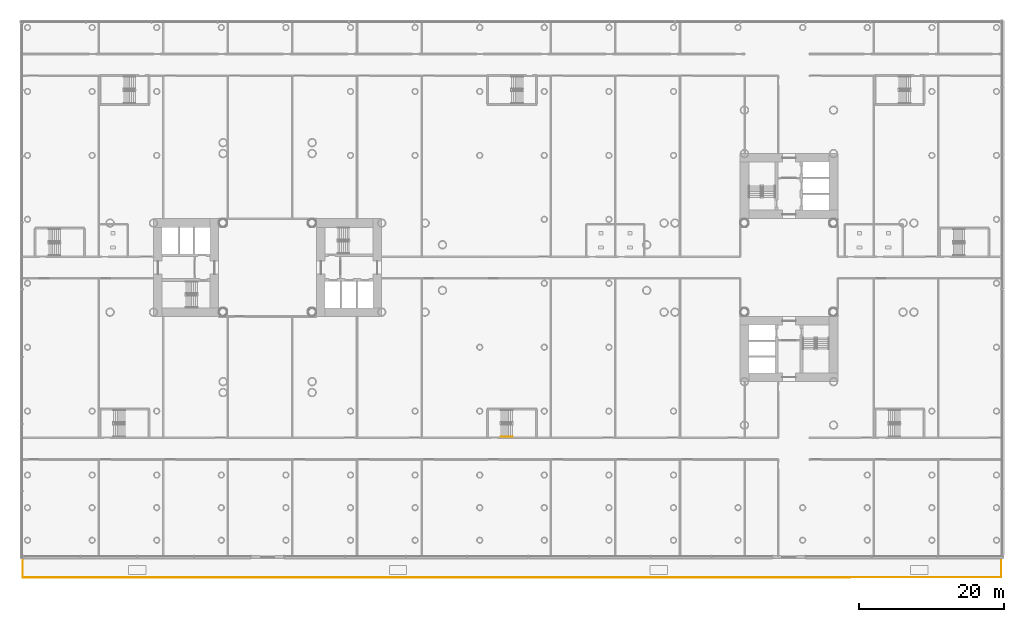
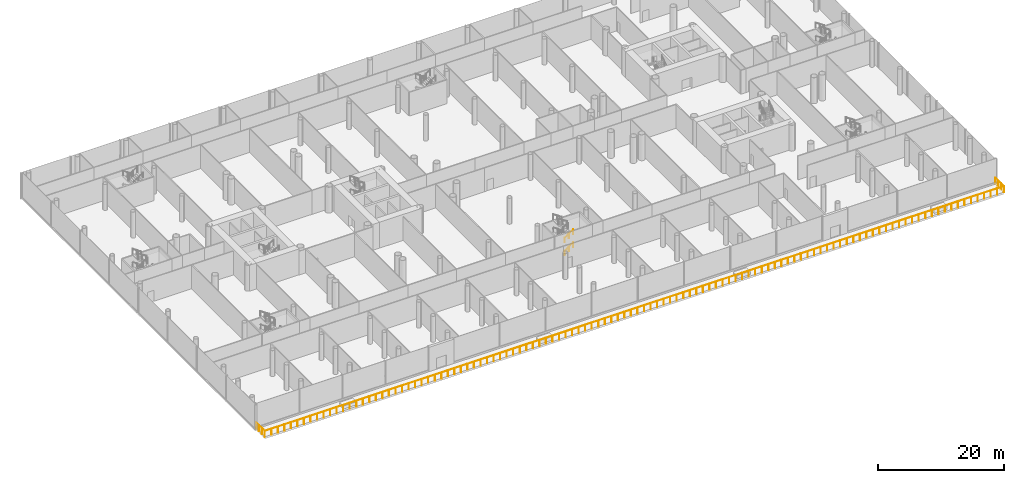
# One storey, part 52 of 59: 3 railings.
"""IFC4 building model written with IfcOpenShell, lengths in metres."""

from ifc_helpers import new_model, si_unit, direction, frame, origin, origin_2d, place, context, subcontext, project, spatial, circle, extrude, material, type_object, element, save


model = new_model("IFC4")

# Units and contexts
model_context = context("Model", 3, precision=1e-05, world=origin(), true_north=direction((0.0, 1.0)))
body_context = subcontext(model_context, "Body", "Model", "MODEL_VIEW")
ifc_project = project(units=[si_unit("LENGTHUNIT", "METRE"), si_unit("AREAUNIT", "SQUARE_METRE"), si_unit("VOLUMEUNIT", "CUBIC_METRE"), si_unit("PLANEANGLEUNIT", "RADIAN"), si_unit("MASSUNIT", "GRAM", prefix="KILO")], contexts=[model_context])

# Site, building, storey
site_placement = place(None, origin())
site = spatial("IfcSite", under=ifc_project, at=site_placement, CompositionType="ELEMENT")
building_placement = place(site_placement, origin())
building = spatial("IfcBuilding", under=site, at=building_placement, Name="Ipe Terrace Towers", CompositionType="ELEMENT")
storey_placement = place(building_placement, frame((0.0, 0.0, 6.0)))
storey = spatial("IfcBuildingStorey", under=building, at=storey_placement, Name="L01", CompositionType="ELEMENT", Elevation=6.0)

# Railings
ifc_material_1 = material(Name="Stainless steel S316", Category="steel")
railing_type_1 = type_object("IfcRailingType", Name="ROOF GUARD 1200", PredefinedType="BALUSTRADE", material=ifc_material_1)
railing_placement = place(storey_placement, frame((65.300048828125, -40.070068359375, -0.02001953125)))
element("IfcRailing", 1, at=railing_placement, inside=storey, type_object=railing_type_1, Name="roof guard", PredefinedType="BALUSTRADE", context=body_context, shape_type="SweptSolid", body=[
    extrude(circle(Radius=0.02392578125, at=origin_2d()), frame((0.0, 0.0, 1.17578125), z_axis=(0.0, -1.0, 0.0), x_axis=(1.0, 0.0, 0.0)), (0.0, 0.0, 1.0), 2.72998046875),
    extrude(circle(Radius=0.02392578125, at=origin_2d()), frame((0.0, -2.72998046875, 1.17578125), z_axis=(-1.0, 0.0, 0.0), x_axis=(0.0, -1.0, 0.0)), (0.0, 0.0, 1.0), 135.10009765625),
    extrude(circle(Radius=0.02392578125, at=origin_2d()), frame((-135.10009765625, -2.72998046875, 1.17578125), z_axis=(0.0, 1.0, 0.0), x_axis=(-1.0, 0.0, 0.0)), (0.0, 0.0, 1.0), 2.72998046875),
    extrude(circle(Radius=0.02099609375, at=origin_2d()), origin(), (0.0, 0.0, 1.0), 1.15185546875),
    extrude(circle(Radius=0.02099609375, at=origin_2d()), frame((0.0, -0.909912109375, 0.0)), (0.0, 0.0, 1.0), 1.15185546875),
    extrude(circle(Radius=0.02099609375, at=origin_2d()), frame((0.0, -1.820068359375, 0.0)), (0.0, 0.0, 1.0), 1.15185546875),
    extrude(circle(Radius=0.02099609375, at=origin_2d()), frame((0.0, -2.72998046875, 0.0)), (0.0, 0.0, 1.0), 1.15185546875),
    extrude(circle(Radius=0.02099609375, at=origin_2d()), frame((-1.195556640625, -2.72998046875, 0.0)), (0.0, 0.0, 1.0), 1.15185546875),
    extrude(circle(Radius=0.02099609375, at=origin_2d()), frame((-2.39111328125, -2.72998046875, 0.0)), (0.0, 0.0, 1.0), 1.15185546875),
    extrude(circle(Radius=0.02099609375, at=origin_2d()), frame((-3.586669921875, -2.72998046875, 0.0)), (0.0, 0.0, 1.0), 1.15185546875),
    extrude(circle(Radius=0.02099609375, at=origin_2d()), frame((-4.7822265625, -2.72998046875, 0.0)), (0.0, 0.0, 1.0), 1.15185546875),
    extrude(circle(Radius=0.02099609375, at=origin_2d()), frame((-5.977783203125, -2.72998046875, 0.0)), (0.0, 0.0, 1.0), 1.15185546875),
    extrude(circle(Radius=0.02099609375, at=origin_2d()), frame((-7.17333984375, -2.72998046875, 0.0)), (0.0, 0.0, 1.0), 1.15185546875),
    extrude(circle(Radius=0.02099609375, at=origin_2d()), frame((-8.369140625, -2.72998046875, 0.0)), (0.0, 0.0, 1.0), 1.15185546875),
    extrude(circle(Radius=0.02099609375, at=origin_2d()), frame((-9.564697265625, -2.72998046875, 0.0)), (0.0, 0.0, 1.0), 1.15185546875),
    extrude(circle(Radius=0.02099609375, at=origin_2d()), frame((-10.76025390625, -2.72998046875, 0.0)), (0.0, 0.0, 1.0), 1.15185546875),
    extrude(circle(Radius=0.02099609375, at=origin_2d()), frame((-11.955810546875, -2.72998046875, 0.0)), (0.0, 0.0, 1.0), 1.15185546875),
    extrude(circle(Radius=0.02099609375, at=origin_2d()), frame((-13.1513671875, -2.72998046875, 0.0)), (0.0, 0.0, 1.0), 1.15185546875),
    extrude(circle(Radius=0.02099609375, at=origin_2d()), frame((-14.346923828125, -2.72998046875, 0.0)), (0.0, 0.0, 1.0), 1.15185546875),
    extrude(circle(Radius=0.02099609375, at=origin_2d()), frame((-15.54248046875, -2.72998046875, 0.0)), (0.0, 0.0, 1.0), 1.15185546875),
    extrude(circle(Radius=0.02099609375, at=origin_2d()), frame((-16.738037109375, -2.72998046875, 0.0)), (0.0, 0.0, 1.0), 1.15185546875),
    extrude(circle(Radius=0.02099609375, at=origin_2d()), frame((-17.93359375, -2.72998046875, 0.0)), (0.0, 0.0, 1.0), 1.15185546875),
    extrude(circle(Radius=0.02099609375, at=origin_2d()), frame((-19.129150390625, -2.72998046875, 0.0)), (0.0, 0.0, 1.0), 1.15185546875),
    extrude(circle(Radius=0.02099609375, at=origin_2d()), frame((-20.32470703125, -2.72998046875, 0.0)), (0.0, 0.0, 1.0), 1.15185546875),
    extrude(circle(Radius=0.02099609375, at=origin_2d()), frame((-21.520263671875, -2.72998046875, 0.0)), (0.0, 0.0, 1.0), 1.15185546875),
    extrude(circle(Radius=0.02099609375, at=origin_2d()), frame((-22.716064453125, -2.72998046875, 0.0)), (0.0, 0.0, 1.0), 1.15185546875),
    extrude(circle(Radius=0.02099609375, at=origin_2d()), frame((-23.91162109375, -2.72998046875, 0.0)), (0.0, 0.0, 1.0), 1.15185546875),
    extrude(circle(Radius=0.02099609375, at=origin_2d()), frame((-25.107177734375, -2.72998046875, 0.0)), (0.0, 0.0, 1.0), 1.15185546875),
    extrude(circle(Radius=0.02099609375, at=origin_2d()), frame((-26.302734375, -2.72998046875, 0.0)), (0.0, 0.0, 1.0), 1.15185546875),
    extrude(circle(Radius=0.02099609375, at=origin_2d()), frame((-27.498291015625, -2.72998046875, 0.0)), (0.0, 0.0, 1.0), 1.15185546875),
    extrude(circle(Radius=0.02099609375, at=origin_2d()), frame((-28.69384765625, -2.72998046875, 0.0)), (0.0, 0.0, 1.0), 1.15185546875),
    extrude(circle(Radius=0.02099609375, at=origin_2d()), frame((-29.889404296875, -2.72998046875, 0.0)), (0.0, 0.0, 1.0), 1.15185546875),
    extrude(circle(Radius=0.02099609375, at=origin_2d()), frame((-31.0849609375, -2.72998046875, 0.0)), (0.0, 0.0, 1.0), 1.15185546875),
    extrude(circle(Radius=0.02099609375, at=origin_2d()), frame((-32.280517578125, -2.72998046875, 0.0)), (0.0, 0.0, 1.0), 1.15185546875),
    extrude(circle(Radius=0.02099609375, at=origin_2d()), frame((-33.47607421875, -2.72998046875, 0.0)), (0.0, 0.0, 1.0), 1.15185546875),
    extrude(circle(Radius=0.02099609375, at=origin_2d()), frame((-34.671630859375, -2.72998046875, 0.0)), (0.0, 0.0, 1.0), 1.15185546875),
    extrude(circle(Radius=0.02099609375, at=origin_2d()), frame((-35.8671875, -2.72998046875, 0.0)), (0.0, 0.0, 1.0), 1.15185546875),
    extrude(circle(Radius=0.02099609375, at=origin_2d()), frame((-37.062744140625, -2.72998046875, 0.0)), (0.0, 0.0, 1.0), 1.15185546875),
    extrude(circle(Radius=0.02099609375, at=origin_2d()), frame((-38.258544921875, -2.72998046875, 0.0)), (0.0, 0.0, 1.0), 1.15185546875),
    extrude(circle(Radius=0.02099609375, at=origin_2d()), frame((-39.4541015625, -2.72998046875, 0.0)), (0.0, 0.0, 1.0), 1.15185546875),
    extrude(circle(Radius=0.02099609375, at=origin_2d()), frame((-40.649658203125, -2.72998046875, 0.0)), (0.0, 0.0, 1.0), 1.15185546875),
    extrude(circle(Radius=0.02099609375, at=origin_2d()), frame((-41.84521484375, -2.72998046875, 0.0)), (0.0, 0.0, 1.0), 1.15185546875),
    extrude(circle(Radius=0.02099609375, at=origin_2d()), frame((-43.040771484375, -2.72998046875, 0.0)), (0.0, 0.0, 1.0), 1.15185546875),
    extrude(circle(Radius=0.02099609375, at=origin_2d()), frame((-44.236328125, -2.72998046875, 0.0)), (0.0, 0.0, 1.0), 1.15185546875),
    extrude(circle(Radius=0.02099609375, at=origin_2d()), frame((-45.431884765625, -2.72998046875, 0.0)), (0.0, 0.0, 1.0), 1.15185546875),
    extrude(circle(Radius=0.02099609375, at=origin_2d()), frame((-46.62744140625, -2.72998046875, 0.0)), (0.0, 0.0, 1.0), 1.15185546875),
    extrude(circle(Radius=0.02099609375, at=origin_2d()), frame((-47.822998046875, -2.72998046875, 0.0)), (0.0, 0.0, 1.0), 1.15185546875),
    extrude(circle(Radius=0.02099609375, at=origin_2d()), frame((-49.0185546875, -2.72998046875, 0.0)), (0.0, 0.0, 1.0), 1.15185546875),
    extrude(circle(Radius=0.02099609375, at=origin_2d()), frame((-50.214111328125, -2.72998046875, 0.0)), (0.0, 0.0, 1.0), 1.15185546875),
    extrude(circle(Radius=0.02099609375, at=origin_2d()), frame((-51.40966796875, -2.72998046875, 0.0)), (0.0, 0.0, 1.0), 1.15185546875),
    extrude(circle(Radius=0.02099609375, at=origin_2d()), frame((-52.60546875, -2.72998046875, 0.0)), (0.0, 0.0, 1.0), 1.15185546875),
    extrude(circle(Radius=0.02099609375, at=origin_2d()), frame((-53.801025390625, -2.72998046875, 0.0)), (0.0, 0.0, 1.0), 1.15185546875),
    extrude(circle(Radius=0.02099609375, at=origin_2d()), frame((-54.99658203125, -2.72998046875, 0.0)), (0.0, 0.0, 1.0), 1.15185546875),
    extrude(circle(Radius=0.02099609375, at=origin_2d()), frame((-56.192138671875, -2.72998046875, 0.0)), (0.0, 0.0, 1.0), 1.15185546875),
    extrude(circle(Radius=0.02099609375, at=origin_2d()), frame((-57.3876953125, -2.72998046875, 0.0)), (0.0, 0.0, 1.0), 1.15185546875),
    extrude(circle(Radius=0.02099609375, at=origin_2d()), frame((-58.583251953125, -2.72998046875, 0.0)), (0.0, 0.0, 1.0), 1.15185546875),
    extrude(circle(Radius=0.02099609375, at=origin_2d()), frame((-59.77880859375, -2.72998046875, 0.0)), (0.0, 0.0, 1.0), 1.15185546875),
    extrude(circle(Radius=0.02099609375, at=origin_2d()), frame((-60.974365234375, -2.72998046875, 0.0)), (0.0, 0.0, 1.0), 1.15185546875),
    extrude(circle(Radius=0.02099609375, at=origin_2d()), frame((-62.169921875, -2.72998046875, 0.0)), (0.0, 0.0, 1.0), 1.15185546875),
    extrude(circle(Radius=0.02099609375, at=origin_2d()), frame((-63.365478515625, -2.72998046875, 0.0)), (0.0, 0.0, 1.0), 1.15185546875),
    extrude(circle(Radius=0.02099609375, at=origin_2d()), frame((-64.56103515625, -2.72998046875, 0.0)), (0.0, 0.0, 1.0), 1.15185546875),
    extrude(circle(Radius=0.02099609375, at=origin_2d()), frame((-65.756591796875, -2.72998046875, 0.0)), (0.0, 0.0, 1.0), 1.15185546875),
    extrude(circle(Radius=0.02099609375, at=origin_2d()), frame((-66.9521484375, -2.72998046875, 0.0)), (0.0, 0.0, 1.0), 1.15185546875),
    extrude(circle(Radius=0.02099609375, at=origin_2d()), frame((-68.14794921875, -2.72998046875, 0.0)), (0.0, 0.0, 1.0), 1.15185546875),
    extrude(circle(Radius=0.02099609375, at=origin_2d()), frame((-69.343505859375, -2.72998046875, 0.0)), (0.0, 0.0, 1.0), 1.15185546875),
    extrude(circle(Radius=0.02099609375, at=origin_2d()), frame((-70.5390625, -2.72998046875, 0.0)), (0.0, 0.0, 1.0), 1.15185546875),
    extrude(circle(Radius=0.02099609375, at=origin_2d()), frame((-71.734619140625, -2.72998046875, 0.0)), (0.0, 0.0, 1.0), 1.15185546875),
    extrude(circle(Radius=0.02099609375, at=origin_2d()), frame((-72.93017578125, -2.72998046875, 0.0)), (0.0, 0.0, 1.0), 1.15185546875),
    extrude(circle(Radius=0.02099609375, at=origin_2d()), frame((-74.125732421875, -2.72998046875, 0.0)), (0.0, 0.0, 1.0), 1.15185546875),
    extrude(circle(Radius=0.02099609375, at=origin_2d()), frame((-75.3212890625, -2.72998046875, 0.0)), (0.0, 0.0, 1.0), 1.15185546875),
    extrude(circle(Radius=0.02099609375, at=origin_2d()), frame((-76.516845703125, -2.72998046875, 0.0)), (0.0, 0.0, 1.0), 1.15185546875),
    extrude(circle(Radius=0.02099609375, at=origin_2d()), frame((-77.71240234375, -2.72998046875, 0.0)), (0.0, 0.0, 1.0), 1.15185546875),
    extrude(circle(Radius=0.02099609375, at=origin_2d()), frame((-78.907958984375, -2.72998046875, 0.0)), (0.0, 0.0, 1.0), 1.15185546875),
    extrude(circle(Radius=0.02099609375, at=origin_2d()), frame((-80.103515625, -2.72998046875, 0.0)), (0.0, 0.0, 1.0), 1.15185546875),
    extrude(circle(Radius=0.02099609375, at=origin_2d()), frame((-81.299072265625, -2.72998046875, 0.0)), (0.0, 0.0, 1.0), 1.15185546875),
    extrude(circle(Radius=0.02099609375, at=origin_2d()), frame((-82.49462890625, -2.72998046875, 0.0)), (0.0, 0.0, 1.0), 1.15185546875),
    extrude(circle(Radius=0.02099609375, at=origin_2d()), frame((-83.6904296875, -2.72998046875, 0.0)), (0.0, 0.0, 1.0), 1.15185546875),
    extrude(circle(Radius=0.02099609375, at=origin_2d()), frame((-84.885986328125, -2.72998046875, 0.0)), (0.0, 0.0, 1.0), 1.15185546875),
    extrude(circle(Radius=0.02099609375, at=origin_2d()), frame((-86.08154296875, -2.72998046875, 0.0)), (0.0, 0.0, 1.0), 1.15185546875),
    extrude(circle(Radius=0.02099609375, at=origin_2d()), frame((-87.277099609375, -2.72998046875, 0.0)), (0.0, 0.0, 1.0), 1.15185546875),
    extrude(circle(Radius=0.02099609375, at=origin_2d()), frame((-88.47265625, -2.72998046875, 0.0)), (0.0, 0.0, 1.0), 1.15185546875),
    extrude(circle(Radius=0.02099609375, at=origin_2d()), frame((-89.668212890625, -2.72998046875, 0.0)), (0.0, 0.0, 1.0), 1.15185546875),
    extrude(circle(Radius=0.02099609375, at=origin_2d()), frame((-90.86376953125, -2.72998046875, 0.0)), (0.0, 0.0, 1.0), 1.15185546875),
    extrude(circle(Radius=0.02099609375, at=origin_2d()), frame((-92.059326171875, -2.72998046875, 0.0)), (0.0, 0.0, 1.0), 1.15185546875),
    extrude(circle(Radius=0.02099609375, at=origin_2d()), frame((-93.2548828125, -2.72998046875, 0.0)), (0.0, 0.0, 1.0), 1.15185546875),
    extrude(circle(Radius=0.02099609375, at=origin_2d()), frame((-94.450439453125, -2.72998046875, 0.0)), (0.0, 0.0, 1.0), 1.15185546875),
    extrude(circle(Radius=0.02099609375, at=origin_2d()), frame((-95.64599609375, -2.72998046875, 0.0)), (0.0, 0.0, 1.0), 1.15185546875),
    extrude(circle(Radius=0.02099609375, at=origin_2d()), frame((-96.841552734375, -2.72998046875, 0.0)), (0.0, 0.0, 1.0), 1.15185546875),
    extrude(circle(Radius=0.02099609375, at=origin_2d()), frame((-98.037353515625, -2.72998046875, 0.0)), (0.0, 0.0, 1.0), 1.15185546875),
    extrude(circle(Radius=0.02099609375, at=origin_2d()), frame((-99.23291015625, -2.72998046875, 0.0)), (0.0, 0.0, 1.0), 1.15185546875),
    extrude(circle(Radius=0.02099609375, at=origin_2d()), frame((-100.428466796875, -2.72998046875, 0.0)), (0.0, 0.0, 1.0), 1.15185546875),
    extrude(circle(Radius=0.02099609375, at=origin_2d()), frame((-101.6240234375, -2.72998046875, 0.0)), (0.0, 0.0, 1.0), 1.15185546875),
    extrude(circle(Radius=0.02099609375, at=origin_2d()), frame((-102.819580078125, -2.72998046875, 0.0)), (0.0, 0.0, 1.0), 1.15185546875),
    extrude(circle(Radius=0.02099609375, at=origin_2d()), frame((-104.01513671875, -2.72998046875, 0.0)), (0.0, 0.0, 1.0), 1.15185546875),
    extrude(circle(Radius=0.02099609375, at=origin_2d()), frame((-105.210693359375, -2.72998046875, 0.0)), (0.0, 0.0, 1.0), 1.15185546875),
    extrude(circle(Radius=0.02099609375, at=origin_2d()), frame((-106.40625, -2.72998046875, 0.0)), (0.0, 0.0, 1.0), 1.15185546875),
    extrude(circle(Radius=0.02099609375, at=origin_2d()), frame((-107.601806640625, -2.72998046875, 0.0)), (0.0, 0.0, 1.0), 1.15185546875),
    extrude(circle(Radius=0.02099609375, at=origin_2d()), frame((-108.79736328125, -2.72998046875, 0.0)), (0.0, 0.0, 1.0), 1.15185546875),
    extrude(circle(Radius=0.02099609375, at=origin_2d()), frame((-109.992919921875, -2.72998046875, 0.0)), (0.0, 0.0, 1.0), 1.15185546875),
    extrude(circle(Radius=0.02099609375, at=origin_2d()), frame((-111.1884765625, -2.72998046875, 0.0)), (0.0, 0.0, 1.0), 1.15185546875),
    extrude(circle(Radius=0.02099609375, at=origin_2d()), frame((-112.384033203125, -2.72998046875, 0.0)), (0.0, 0.0, 1.0), 1.15185546875),
    extrude(circle(Radius=0.02099609375, at=origin_2d()), frame((-113.579833984375, -2.72998046875, 0.0)), (0.0, 0.0, 1.0), 1.15185546875),
    extrude(circle(Radius=0.02099609375, at=origin_2d()), frame((-114.775390625, -2.72998046875, 0.0)), (0.0, 0.0, 1.0), 1.15185546875),
    extrude(circle(Radius=0.02099609375, at=origin_2d()), frame((-115.970947265625, -2.72998046875, 0.0)), (0.0, 0.0, 1.0), 1.15185546875),
    extrude(circle(Radius=0.02099609375, at=origin_2d()), frame((-117.16650390625, -2.72998046875, 0.0)), (0.0, 0.0, 1.0), 1.15185546875),
    extrude(circle(Radius=0.02099609375, at=origin_2d()), frame((-118.362060546875, -2.72998046875, 0.0)), (0.0, 0.0, 1.0), 1.15185546875),
    extrude(circle(Radius=0.02099609375, at=origin_2d()), frame((-119.5576171875, -2.72998046875, 0.0)), (0.0, 0.0, 1.0), 1.15185546875),
    extrude(circle(Radius=0.02099609375, at=origin_2d()), frame((-120.753173828125, -2.72998046875, 0.0)), (0.0, 0.0, 1.0), 1.15185546875),
    extrude(circle(Radius=0.02099609375, at=origin_2d()), frame((-121.94873046875, -2.72998046875, 0.0)), (0.0, 0.0, 1.0), 1.15185546875),
    extrude(circle(Radius=0.02099609375, at=origin_2d()), frame((-123.144287109375, -2.72998046875, 0.0)), (0.0, 0.0, 1.0), 1.15185546875),
    extrude(circle(Radius=0.02099609375, at=origin_2d()), frame((-124.33984375, -2.72998046875, 0.0)), (0.0, 0.0, 1.0), 1.15185546875),
    extrude(circle(Radius=0.02099609375, at=origin_2d()), frame((-125.535400390625, -2.72998046875, 0.0)), (0.0, 0.0, 1.0), 1.15185546875),
    extrude(circle(Radius=0.02099609375, at=origin_2d()), frame((-126.73095703125, -2.72998046875, 0.0)), (0.0, 0.0, 1.0), 1.15185546875),
    extrude(circle(Radius=0.02099609375, at=origin_2d()), frame((-127.9267578125, -2.72998046875, 0.0)), (0.0, 0.0, 1.0), 1.15185546875),
    extrude(circle(Radius=0.02099609375, at=origin_2d()), frame((-129.122314453125, -2.72998046875, 0.0)), (0.0, 0.0, 1.0), 1.15185546875),
    extrude(circle(Radius=0.02099609375, at=origin_2d()), frame((-130.31787109375, -2.72998046875, 0.0)), (0.0, 0.0, 1.0), 1.15185546875),
    extrude(circle(Radius=0.02099609375, at=origin_2d()), frame((-131.513427734375, -2.72998046875, 0.0)), (0.0, 0.0, 1.0), 1.15185546875),
    extrude(circle(Radius=0.02099609375, at=origin_2d()), frame((-132.708984375, -2.72998046875, 0.0)), (0.0, 0.0, 1.0), 1.15185546875),
    extrude(circle(Radius=0.02099609375, at=origin_2d()), frame((-133.904541015625, -2.72998046875, 0.0)), (0.0, 0.0, 1.0), 1.15185546875),
    extrude(circle(Radius=0.02099609375, at=origin_2d()), frame((-135.10009765625, -2.72998046875, 0.0)), (0.0, 0.0, 1.0), 1.15185546875),
    extrude(circle(Radius=0.02099609375, at=origin_2d()), frame((-135.10009765625, -1.820068359375, 0.0)), (0.0, 0.0, 1.0), 1.15185546875),
    extrude(circle(Radius=0.02099609375, at=origin_2d()), frame((-135.10009765625, -0.909912109375, 0.0)), (0.0, 0.0, 1.0), 1.15185546875),
    extrude(circle(Radius=0.02099609375, at=origin_2d()), frame((-135.10009765625, 0.0, 0.0)), (0.0, 0.0, 1.0), 1.15185546875),
])
ifc_material_2 = material(Name="Stainless steel grade 304", Category="steel")
railing_type_2 = type_object("IfcRailingType", Name="Stair handrail 900", PredefinedType="HANDRAIL", material=ifc_material_2)
for number, where, name in (
    (2, (-3.75, -23.35009765625, 0.178466796875), "L01 PS5 stair handrail 1"),
    (3, (-3.75, -23.35009765625, 2.678466796875), "L01 PS5 stair handrail 3"),
):
    element("IfcRailing", number, at=place(storey_placement, frame(where)), inside=storey, type_object=railing_type_2, Name=name, PredefinedType="HANDRAIL", context=body_context, shape_type="SweptSolid", body=[
        extrude(circle(Radius=0.02392578125, at=origin_2d()), frame((0.0, 0.0, 0.8759765625), z_axis=(0.82429025813, 0.0, 0.566167440208), x_axis=(0.0, 1.0, 0.0)), (0.0, 0.0, 1.0), 1.892578125),
        extrude(circle(Radius=0.02099609375, at=origin_2d()), origin(), (0.0, 0.0, 1.0), 0.851806640625),
        extrude(circle(Radius=0.02099609375, at=origin_2d()), frame((0.780029296875, 0.0, 0.53564453125)), (0.0, 0.0, 1.0), 0.851806640625),
        extrude(circle(Radius=0.02099609375, at=origin_2d()), frame((1.56005859375, 0.0, 1.071533203125)), (0.0, 0.0, 1.0), 0.851806640625),
    ])

save(model, "model.ifc")
